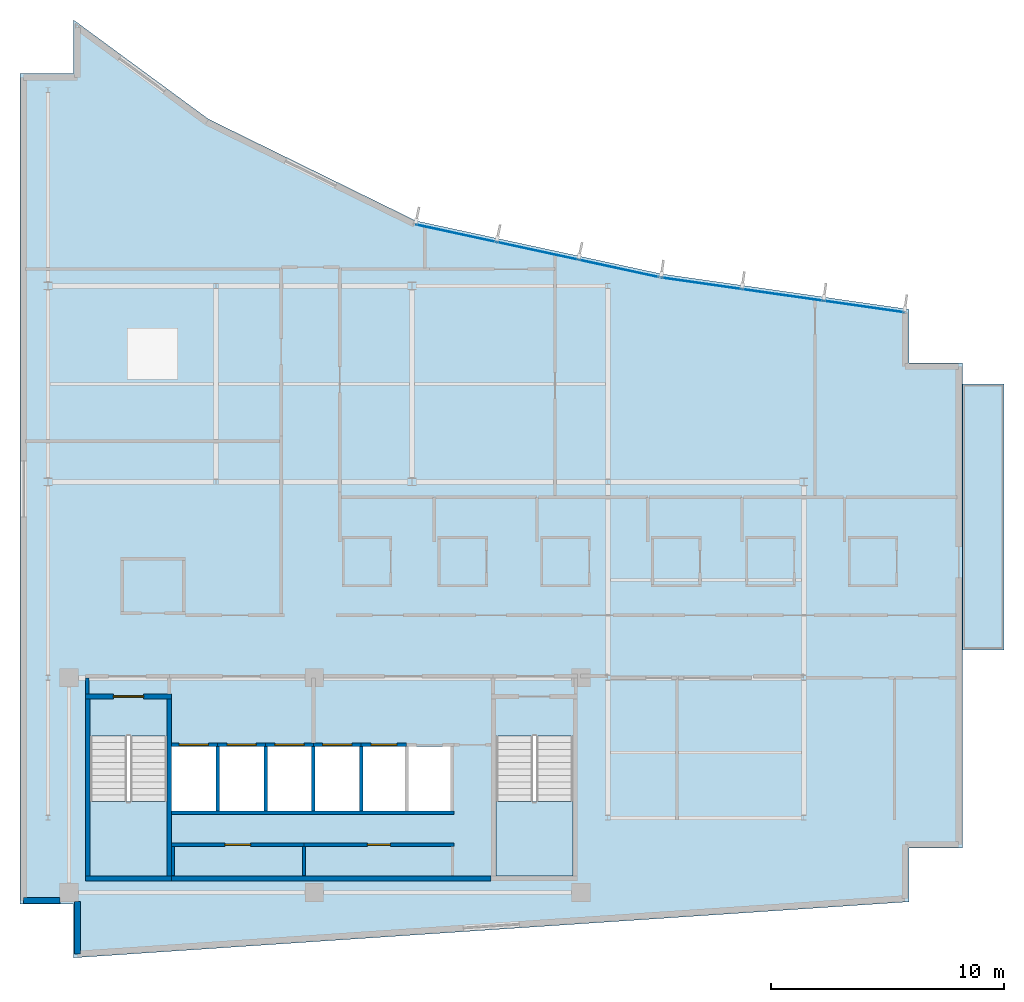
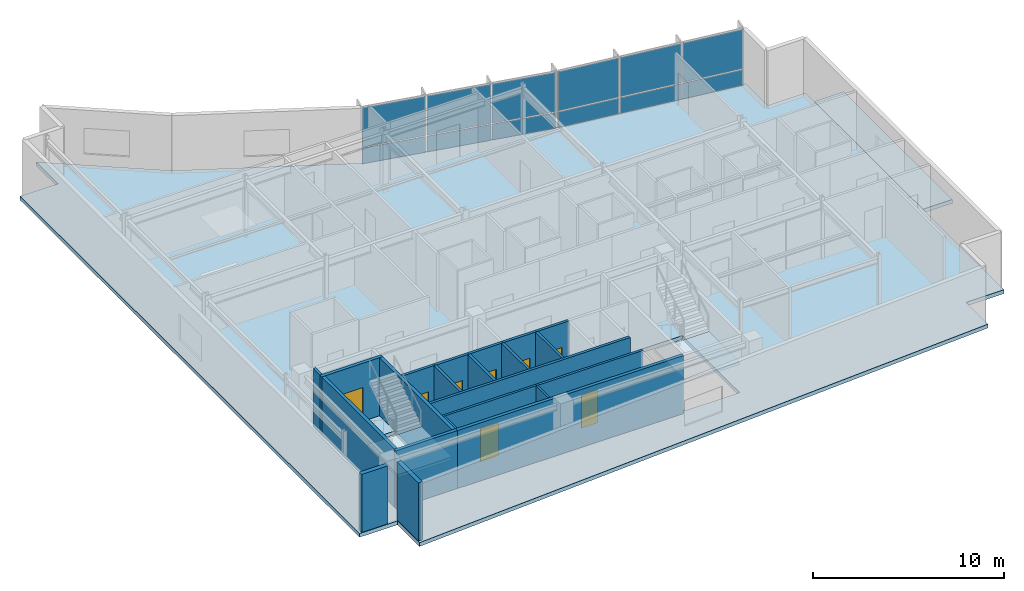
# One storey, part 9 of 16: 22 walls, 12 plates, 8 doors, 4 slabs, 8 openings, 4 elements without a shape of their own.
"""IFC4 building model written with IfcOpenShell, lengths in metres."""

from ifc_helpers import new_model, si_unit, direction, frame, frame_2d, origin, origin_2d, place, context, subcontext, project, spatial, polyline, rectangle, outline, extrude, material, layer, layer_set, type_object, element, fill, aggregate, save


model = new_model("IFC4")

# Units and contexts
model_context = context("Model", 3, precision=1e-05, world=origin(), true_north=direction((0.0, 1.0)))
body_context = subcontext(model_context, "Body", "Model", "MODEL_VIEW")
ifc_project = project(units=[si_unit("LENGTHUNIT", "METRE"), si_unit("AREAUNIT", "SQUARE_METRE"), si_unit("VOLUMEUNIT", "CUBIC_METRE"), si_unit("PLANEANGLEUNIT", "RADIAN"), si_unit("MASSUNIT", "GRAM", prefix="KILO")], contexts=[model_context])

# Site, building, storey
site_placement = place(None, origin())
site = spatial("IfcSite", under=ifc_project, at=site_placement, CompositionType="ELEMENT")
building_placement = place(site_placement, origin())
building = spatial("IfcBuilding", under=site, at=building_placement, Name="Varnakote Quay Hospital", CompositionType="ELEMENT")
storey_placement = place(building_placement, frame((0.0, 0.0, 296.050048828125)))
storey = spatial("IfcBuildingStorey", under=building, at=storey_placement, Name="L73", CompositionType="ELEMENT", Elevation=296.050048828125)

# Curtain wall, plates
ifc_material_1 = material(Name="Anodised aluminium 6063-T6 Bronze", Category="aluminium")
ifc_layer_1 = layer(ifc_material_1, 0.235107421875)
ifc_layer_set_1 = layer_set([ifc_layer_1], Name="Anodised aluminium 6063-T6 Bronze")
curtain_wall_type = type_object("IfcCurtainWallType", Name="CW-SYS-5", PredefinedType="NOTDEFINED", material=ifc_layer_set_1)
curtain_wall_1_placement = place(storey_placement, origin())
curtain_wall_1 = element("IfcCurtainWall", 1, at=curtain_wall_1_placement, inside=storey, type_object=curtain_wall_type, Name="L73 Unitised Bronze Curtain Wall 1", PredefinedType="NOTDEFINED")
ifc_material_2 = material(Name="Double-glazed low-E solar glass", Category="glass")
ifc_layer_2 = layer(ifc_material_2, 0.028076171875)
ifc_layer_set_2 = layer_set([ifc_layer_2], Name="Double-glazed low-E solar glass")
plate_type = type_object("IfcPlateType", Name="CW-PNL-GLZ-28", PredefinedType="CURTAIN_PANEL", material=ifc_layer_set_2)
plate_1_placement = place(storey_placement, frame((36.174560546875, 27.913818359375, 0.06494140625), z_axis=(0.0, 0.0, 1.0), x_axis=(-0.989927979062, 0.141571876691, 0.0)))
plate_1 = element("IfcPlate", 2, at=plate_1_placement, type_object=plate_type, Name="-5-L73-1 panel 1.1", PredefinedType="CURTAIN_PANEL", context=body_context, shape_type="SweptSolid", body=[
    extrude(rectangle(XDim=3.436767578125, YDim=0.028076171875, at=origin_2d()), origin(), (0.0, 0.0, 1.0), 1.00244140625),
])
plate_2_placement = place(storey_placement, frame((36.174560546875, 27.913818359375, 1.13232421875), z_axis=(0.0, 0.0, 1.0), x_axis=(-0.989927979062, 0.141571876691, 0.0)))
plate_2 = element("IfcPlate", 3, at=plate_2_placement, type_object=plate_type, Name="-5-L73-1 panel 1.2", PredefinedType="CURTAIN_PANEL", context=body_context, shape_type="SweptSolid", body=[
    extrude(rectangle(XDim=3.436767578125, YDim=0.028076171875, at=origin_2d()), origin(), (0.0, 0.0, 1.0), 2.512451171875),
])
plate_3_placement = place(storey_placement, frame((32.69189453125, 28.411865234375, 0.06494140625), z_axis=(0.0, 0.0, 1.0), x_axis=(-0.989927979062, 0.141571876691, 0.0)))
plate_3 = element("IfcPlate", 4, at=plate_3_placement, type_object=plate_type, Name="-5-L73-1 panel 2.1", PredefinedType="CURTAIN_PANEL", context=body_context, shape_type="SweptSolid", body=[
    extrude(rectangle(XDim=3.469482421875, YDim=0.028076171875, at=origin_2d()), origin(), (0.0, 0.0, 1.0), 1.00244140625),
])
plate_4_placement = place(storey_placement, frame((32.69189453125, 28.411865234375, 1.13232421875), z_axis=(0.0, 0.0, 1.0), x_axis=(-0.989927979062, 0.141571876691, 0.0)))
plate_4 = element("IfcPlate", 5, at=plate_4_placement, type_object=plate_type, Name="-5-L73-1 panel 2.2", PredefinedType="CURTAIN_PANEL", context=body_context, shape_type="SweptSolid", body=[
    extrude(rectangle(XDim=3.469482421875, YDim=0.028076171875, at=origin_2d()), origin(), (0.0, 0.0, 1.0), 2.512451171875),
])
plate_5_placement = place(storey_placement, frame((29.209228515625, 28.909912109375, 0.06494140625), z_axis=(0.0, 0.0, 1.0), x_axis=(-0.989927979062, 0.141571876691, 0.0)))
plate_5 = element("IfcPlate", 6, at=plate_5_placement, type_object=plate_type, Name="-5-L73-1 panel 3.1", PredefinedType="CURTAIN_PANEL", context=body_context, shape_type="SweptSolid", body=[
    extrude(rectangle(XDim=3.436767578125, YDim=0.028076171875, at=origin_2d()), origin(), (0.0, 0.0, 1.0), 1.00244140625),
])
plate_6_placement = place(storey_placement, frame((29.209228515625, 28.909912109375, 1.13232421875), z_axis=(0.0, 0.0, 1.0), x_axis=(-0.989927979062, 0.141571876691, 0.0)))
plate_6 = element("IfcPlate", 7, at=plate_6_placement, type_object=plate_type, Name="-5-L73-1 panel 3.2", PredefinedType="CURTAIN_PANEL", context=body_context, shape_type="SweptSolid", body=[
    extrude(rectangle(XDim=3.436767578125, YDim=0.028076171875, at=origin_2d()), origin(), (0.0, 0.0, 1.0), 2.512451171875),
])
aggregate(curtain_wall_1, [plate_1, plate_2, plate_3, plate_4, plate_5, plate_6])

curtain_wall_2_placement = place(storey_placement, origin())
curtain_wall_2 = element("IfcCurtainWall", 8, at=curtain_wall_2_placement, inside=storey, type_object=curtain_wall_type, Name="L73 Unitised Bronze Curtain Wall 2", PredefinedType="NOTDEFINED")
plate_7_placement = place(storey_placement, frame((25.673095703125, 29.54541015625, 0.06494140625), z_axis=(0.0, 0.0, 1.0), x_axis=(-0.97739794114, 0.211407815974, 0.0)))
plate_7 = element("IfcPlate", 9, at=plate_7_placement, type_object=plate_type, Name="-5-L73-2 panel 1.1", PredefinedType="CURTAIN_PANEL", context=body_context, shape_type="SweptSolid", body=[
    extrude(rectangle(XDim=3.4931640625, YDim=0.028076171875, at=origin_2d()), origin(), (0.0, 0.0, 1.0), 1.00244140625),
])
plate_8_placement = place(storey_placement, frame((25.673095703125, 29.54541015625, 1.13232421875), z_axis=(0.0, 0.0, 1.0), x_axis=(-0.97739794114, 0.211407815974, 0.0)))
plate_8 = element("IfcPlate", 10, at=plate_8_placement, type_object=plate_type, Name="-5-L73-2 panel 1.2", PredefinedType="CURTAIN_PANEL", context=body_context, shape_type="SweptSolid", body=[
    extrude(rectangle(XDim=3.4931640625, YDim=0.028076171875, at=origin_2d()), origin(), (0.0, 0.0, 1.0), 2.512451171875),
])
plate_9_placement = place(storey_placement, frame((22.179443359375, 30.301025390625, 0.06494140625), z_axis=(0.0, 0.0, 1.0), x_axis=(-0.97739794114, 0.211407815974, 0.0)))
plate_9 = element("IfcPlate", 11, at=plate_9_placement, type_object=plate_type, Name="-5-L73-2 panel 2.1", PredefinedType="CURTAIN_PANEL", context=body_context, shape_type="SweptSolid", body=[
    extrude(rectangle(XDim=3.525634765625, YDim=0.028076171875, at=origin_2d()), origin(), (0.0, 0.0, 1.0), 1.00244140625),
])
plate_10_placement = place(storey_placement, frame((22.179443359375, 30.301025390625, 1.13232421875), z_axis=(0.0, 0.0, 1.0), x_axis=(-0.97739794114, 0.211407815974, 0.0)))
plate_10 = element("IfcPlate", 12, at=plate_10_placement, type_object=plate_type, Name="-5-L73-2 panel 2.2", PredefinedType="CURTAIN_PANEL", context=body_context, shape_type="SweptSolid", body=[
    extrude(rectangle(XDim=3.525634765625, YDim=0.028076171875, at=origin_2d()), origin(), (0.0, 0.0, 1.0), 2.512451171875),
])
plate_11_placement = place(storey_placement, frame((18.685791015625, 31.056640625, 0.06494140625), z_axis=(0.0, 0.0, 1.0), x_axis=(-0.97739794114, 0.211407815974, 0.0)))
plate_11 = element("IfcPlate", 13, at=plate_11_placement, type_object=plate_type, Name="-5-L73-2 panel 3.1", PredefinedType="CURTAIN_PANEL", context=body_context, shape_type="SweptSolid", body=[
    extrude(rectangle(XDim=3.4931640625, YDim=0.028076171875, at=origin_2d()), origin(), (0.0, 0.0, 1.0), 1.00244140625),
])
plate_12_placement = place(storey_placement, frame((18.685791015625, 31.056640625, 1.13232421875), z_axis=(0.0, 0.0, 1.0), x_axis=(-0.97739794114, 0.211407815974, 0.0)))
plate_12 = element("IfcPlate", 14, at=plate_12_placement, type_object=plate_type, Name="-5-L73-2 panel 3.2", PredefinedType="CURTAIN_PANEL", context=body_context, shape_type="SweptSolid", body=[
    extrude(rectangle(XDim=3.4931640625, YDim=0.028076171875, at=origin_2d()), origin(), (0.0, 0.0, 1.0), 2.512451171875),
])
aggregate(curtain_wall_2, [plate_7, plate_8, plate_9, plate_10, plate_11, plate_12])

# Stair, slab
ifc_material_3 = material(Name="Concrete N40 (f'c 40 MPa)", Category="concrete")
stair_type = type_object("IfcStairType", Name="STR-CORE-1580", PredefinedType="HALF_TURN_STAIR", material=ifc_material_3)
stair_1_placement = place(storey_placement, origin())
stair_1 = element("IfcStair", 15, at=stair_1_placement, inside=storey, type_object=stair_type, Name="L73 Fire-Isolated Exit Stair ST-01", PredefinedType="HALF_TURN_STAIR")
ifc_material_4 = material(Name="Concrete N40 (f'c 40 MPa)", Category="concrete")
ifc_layer_3 = layer(ifc_material_4, 0.199951171875)
ifc_layer_set_3 = layer_set([ifc_layer_3], Name="Concrete N40 (f'c 40 MPa)")
slab_type_1 = type_object("IfcSlabType", Name="SLB-STAIR-LND-200", PredefinedType="LANDING", material=ifc_layer_set_3)
slab_1_placement = place(storey_placement, frame((0.0, 0.0, 1.77490234375)))
slab_1 = element("IfcSlab", 16, at=slab_1_placement, type_object=slab_type_1, Name="ST-01 landing 1", PredefinedType="LANDING", context=body_context, shape_type="SweptSolid", body=[
    extrude(outline(polyline([(3.0, 6.699951171875), (3.0, 3.5), (6.300048828125, 3.5), (6.300048828125, 6.699951171875), (3.0, 6.699951171875)])), origin(), (0.0, 0.0, 1.0), 0.199951171875),
])
aggregate(stair_1, [slab_1])

stair_2_placement = place(storey_placement, origin())
stair_2 = element("IfcStair", 17, at=stair_2_placement, inside=storey, type_object=stair_type, Name="L73 Fire-Isolated Exit Stair ST-02", PredefinedType="HALF_TURN_STAIR")
slab_2_placement = place(storey_placement, frame((0.0, 0.0, 1.77490234375)))
slab_2 = element("IfcSlab", 18, at=slab_2_placement, type_object=slab_type_1, Name="ST-02 landing 1", PredefinedType="LANDING", context=body_context, shape_type="SweptSolid", body=[
    extrude(outline(polyline([(20.39990234375, 6.699951171875), (20.39990234375, 3.5), (23.699951171875, 3.5), (23.699951171875, 6.699951171875), (20.39990234375, 6.699951171875)])), origin(), (0.0, 0.0, 1.0), 0.199951171875),
])
aggregate(stair_2, [slab_2])

# Slabs
ifc_material_5 = material(Name="Concrete N50 (f'c 50 MPa)", Category="concrete")
ifc_layer_4 = layer(ifc_material_5, 0.239990234375)
ifc_layer_set_4 = layer_set([ifc_layer_4], Name="Concrete N50 (f'c 50 MPa)")
slab_type_2 = type_object("IfcSlabType", Name="SLB-TERR-200", PredefinedType="FLOOR", material=ifc_layer_set_4)
slab_3_placement = place(storey_placement, frame((0.0, 0.0, -0.239990234375)))
element("IfcSlab", 19, at=slab_3_placement, inside=storey, type_object=slab_type_2, Name="L73 Waterfront Healing Terrace Slab", PredefinedType="FLOOR", context=body_context, shape_type="SweptSolid", body=[
    extrude(outline(polyline([(40.39599609375, 13.199951171875), (42.179931640625, 13.199951171875), (42.179931640625, 24.60009765625), (40.39599609375, 24.60009765625), (40.39599609375, 13.199951171875)])), origin(), (0.0, 0.0, 1.0), 0.239990234375),
])
ifc_material_6 = material(Name="Concrete N50 (f'c 50 MPa)", Category="concrete")
ifc_layer_5 = layer(ifc_material_6, 0.239990234375)
ifc_layer_set_5 = layer_set([ifc_layer_5], Name="Concrete N50 (f'c 50 MPa)")
slab_type_3 = type_object("IfcSlabType", Name="SLB-WARD-200", PredefinedType="FLOOR", material=ifc_layer_set_5)
slab_4_placement = place(storey_placement, frame((0.0, 0.0, -0.239990234375)))
element("IfcSlab", 20, at=slab_4_placement, inside=storey, type_object=slab_type_3, Name="L73 Primary Floor Slab", PredefinedType="FLOOR", context=body_context, shape_type="SweptSolid", body=[
    extrude(outline(polyline([(0.0, 2.300048828125), (2.300048828125, 2.300048828125), (2.300048828125, 0.0), (38.10009765625, 2.39990234375), (38.10009765625, 4.699951171875), (40.39990234375, 4.699951171875), (40.39990234375, 25.5), (38.10009765625, 25.5), (38.10009765625, 27.800048828125), (27.471923828125, 29.320068359375), (16.968017578125, 31.592041015625), (8.080078125, 35.951904296875), (2.300048828125, 40.199951171875), (2.300048828125, 37.89990234375), (0.0, 37.89990234375), (0.0, 2.300048828125)]), holes=[polyline([(3.0, 3.5), (6.300048828125, 3.5), (6.300048828125, 9.49951171875), (3.0, 9.49951171875), (3.0, 3.5)]), polyline([(20.39990234375, 3.5), (23.699951171875, 3.5), (23.699951171875, 9.49951171875), (20.39990234375, 9.49951171875), (20.39990234375, 3.5)]), polyline([(6.5, 6.300048828125), (8.39990234375, 6.300048828125), (8.39990234375, 9.050048828125), (6.5, 9.050048828125), (6.5, 6.300048828125)]), polyline([(8.550048828125, 6.300048828125), (10.449951171875, 6.300048828125), (10.449951171875, 9.050048828125), (8.550048828125, 9.050048828125), (8.550048828125, 6.300048828125)]), polyline([(10.60009765625, 6.300048828125), (12.5, 6.300048828125), (12.5, 9.050048828125), (10.60009765625, 9.050048828125), (10.60009765625, 6.300048828125)]), polyline([(12.64990234375, 6.300048828125), (14.550048828125, 6.300048828125), (14.550048828125, 9.050048828125), (12.64990234375, 9.050048828125), (12.64990234375, 6.300048828125)]), polyline([(14.699951171875, 6.300048828125), (16.5, 6.300048828125), (16.5, 9.050048828125), (14.699951171875, 9.050048828125), (14.699951171875, 6.300048828125)]), polyline([(16.64990234375, 6.300048828125), (18.449951171875, 6.300048828125), (18.449951171875, 9.050048828125), (16.64990234375, 9.050048828125), (16.64990234375, 6.300048828125)])]), origin(), (0.0, 0.0, 1.0), 0.239990234375),
])

# Walls
ifc_material_7 = material(Name="Fire-rated acoustic gypsum stud wall", Category="gypsum")
ifc_layer_6 = layer(ifc_material_7, 0.159912109375)
ifc_layer_set_6 = layer_set([ifc_layer_6], Name="Fire-rated acoustic gypsum stud wall")
wall_type_1 = type_object("IfcWallType", Name="WL-COMP-160", PredefinedType="PARTITIONING", material=ifc_layer_set_6)
wall_1_placement = place(storey_placement, frame((2.8798828125, 11.300048828125, 0.0), z_axis=(0.0, 0.0, 1.0), x_axis=(0.0, 1.0, 0.0)))
element("IfcWall", 21, at=wall_1_placement, inside=storey, type_object=wall_type_1, Name="L73 West Stair Vestibule West Wall", PredefinedType="PARTITIONING", context=body_context, shape_type="SweptSolid", body=[
    extrude(rectangle(XDim=0.699951171875, YDim=0.159912109375, at=frame_2d((0.35009765625, 0.0))), origin(), (0.0, 0.0, 1.0), 3.7099609375),
])
ifc_material_8 = material(Name="Concrete N50 (f'c 50 MPa)", Category="concrete")
ifc_layer_7 = layer(ifc_material_8, 0.199951171875)
ifc_layer_set_7 = layer_set([ifc_layer_7], Name="Concrete N50 (f'c 50 MPa)")
wall_type_2 = type_object("IfcWallType", Name="WL-CORE-N50-200", PredefinedType="SHEAR", material=ifc_layer_set_7)
wall_2_placement = place(storey_placement, frame((6.5, 3.39990234375, 0.0), z_axis=(0.0, 0.0, 1.0), x_axis=(1.0, 0.0, 0.0)))
element("IfcWall", 22, at=wall_2_placement, inside=storey, type_object=wall_type_2, Name="L73 Rear Core South Shear Wall", PredefinedType="SHEAR", context=body_context, shape_type="SweptSolid", body=[
    extrude(rectangle(XDim=13.699951171875, YDim=0.199951171875, at=frame_2d((6.85009765625, 0.0))), origin(), (0.0, 0.0, 1.0), 3.7099609375),
])
ifc_material_9 = material(Name="Precast concrete N50 (f'c 50 MPa)", Category="concrete")
ifc_layer_8 = layer(ifc_material_9, 0.260009765625)
ifc_layer_set_8 = layer_set([ifc_layer_8], Name="Precast concrete N50 (f'c 50 MPa)")
wall_type_3 = type_object("IfcWallType", Name="WL-EXT-BRICK-260", PredefinedType="STANDARD", material=ifc_layer_set_8)
wall_3_placement = place(storey_placement, frame((2.4599609375, 2.4150390625, 0.0), z_axis=(0.0, 0.0, 1.0), x_axis=(0.0, -1.0, 0.0)))
element("IfcWall", 23, at=wall_3_placement, inside=storey, type_object=wall_type_3, Name="L73 Brick-Faced Precast Exterior Wall", PredefinedType="STANDARD", context=body_context, shape_type="SweptSolid", body=[
    extrude(rectangle(XDim=2.243896484375, YDim=0.260009765625, at=frame_2d((1.1220703125, 0.0))), origin(), (0.0, 0.0, 1.0), 3.7099609375),
])
wall_4_placement = place(storey_placement, frame((0.159912109375, 2.4599609375, 0.0), z_axis=(0.0, 0.0, 1.0), x_axis=(1.0, 0.0, 0.0)))
element("IfcWall", 24, at=wall_4_placement, inside=storey, type_object=wall_type_3, Name="L73 Brick-Faced Precast Exterior Wall", PredefinedType="STANDARD", context=body_context, shape_type="SweptSolid", body=[
    extrude(rectangle(XDim=1.55517578125, YDim=0.260009765625, at=frame_2d((0.777587890625, 0.0))), origin(), (0.0, 0.0, 1.0), 3.7099609375),
])
ifc_material_10 = material(Name="Concrete N50 (f'c 50 MPa)", Category="concrete")
ifc_layer_9 = layer(ifc_material_10, 0.14990234375)
ifc_layer_set_9 = layer_set([ifc_layer_9], Name="Concrete N50 (f'c 50 MPa)")
wall_type_4 = type_object("IfcWallType", Name="WL-SHAFT-N50-150", PredefinedType="SHEAR", material=ifc_layer_set_9)
for number, where, z_axis, x_axis, name in (
    (25, (8.47509765625, 6.300048828125, 0.0), (0.0, 0.0, 1.0), (0.0, 1.0, 0.0), "L73 LF-FF1 Hoistway Divider Wall"),
    (26, (10.52490234375, 6.300048828125, 0.0), (0.0, 0.0, 1.0), (0.0, 1.0, 0.0), "L73 LF-FF2 Hoistway Divider Wall"),
    (27, (12.574951171875, 6.300048828125, 0.0), (0.0, 0.0, 1.0), (0.0, 1.0, 0.0), "L73 LF-SV1 Hoistway Divider Wall"),
    (28, (14.625, 6.300048828125, 0.0), (0.0, 0.0, 1.0), (0.0, 1.0, 0.0), "L73 LF-SV2 Hoistway Divider Wall"),
):
    element("IfcWall", number, at=place(storey_placement, frame(where, z_axis=z_axis, x_axis=x_axis)), inside=storey, type_object=wall_type_4, Name=name, PredefinedType="SHEAR", context=body_context, shape_type="SweptSolid", body=[
        extrude(rectangle(XDim=2.75, YDim=0.14990234375, at=frame_2d((1.375, 0.0))), origin(), (0.0, 0.0, 1.0), 3.7099609375),
    ])
ifc_material_11 = material(Name="Concrete N50 (f'c 50 MPa)", Category="concrete")
ifc_layer_10 = layer(ifc_material_11, 0.159912109375)
ifc_layer_set_10 = layer_set([ifc_layer_10], Name="Concrete N50 (f'c 50 MPa)")
wall_type_5 = type_object("IfcWallType", Name="WL-SHAFT-N50-160", PredefinedType="SHEAR", material=ifc_layer_set_10)
wall_5_placement = place(storey_placement, frame((6.5, 6.219970703125, 0.0), z_axis=(0.0, 0.0, 1.0), x_axis=(1.0, 0.0, 0.0)))
element("IfcWall", 29, at=wall_5_placement, inside=storey, type_object=wall_type_5, Name="L73 REAR Lift Bank Back Shear Wall", PredefinedType="SHEAR", context=body_context, shape_type="SweptSolid", body=[
    extrude(rectangle(XDim=12.110107421875, YDim=0.159912109375, at=frame_2d((6.05517578125, 0.0))), origin(), (0.0, 0.0, 1.0), 3.7099609375),
])

# Wall, opening, door
wall_6_placement = place(storey_placement, frame((6.5, 9.1298828125, 0.0), z_axis=(0.0, 0.0, 1.0), x_axis=(1.0, 0.0, 0.0)))
wall_6 = element("IfcWall", 30, at=wall_6_placement, inside=storey, type_object=wall_type_5, Name="L73 LF-FF1 Hoistway Front Wall", PredefinedType="SHEAR", context=body_context, shape_type="SweptSolid", body=[
    extrude(rectangle(XDim=1.97509765625, YDim=0.159912109375, at=frame_2d((0.987548828125, 0.0))), origin(), (0.0, 0.0, 1.0), 3.7099609375),
])
opening_1_placement = place(wall_6_placement, frame((0.324951171875, 0.0, 0.0)))
opening_1 = element("IfcOpeningElement", 31, at=opening_1_placement, cuts=wall_6, Name="Opening LD-FF1-L73", PredefinedType="OPENING", context=body_context, shape_type="SweptSolid", body=[
    extrude(rectangle(XDim=1.25, YDim=2.14990234375, at=frame_2d((0.625, 1.074951171875))), frame((0.0, 0.08984375, 0.0), z_axis=(0.0, -1.0, 0.0), x_axis=(1.0, 0.0, 0.0)), (0.0, 0.0, 1.0), 0.179931640625),
])
ifc_material_12 = material(Name="Stainless steel lift landing sliding door", Category="steel")
door_type_1 = type_object("IfcDoorType", Name="DR-LIFT-LD-1250x2150", OperationType="NOTDEFINED", PredefinedType="DOOR", material=ifc_material_12)
door_1_placement = place(opening_1_placement, origin())
door_1 = element("IfcDoor", 32, at=door_1_placement, inside=storey, type_object=door_type_1, Name="L73 LF-FF1 Lift Landing Sliding Door", OperationType="SLIDING_TO_LEFT", OverallHeight=2.14990234375, OverallWidth=1.25, PredefinedType="DOOR", context=body_context, shape_type="SweptSolid", body=[
    extrude(rectangle(XDim=1.25, YDim=2.14990234375, at=frame_2d((0.625, 1.074951171875))), frame((0.0, 0.02490234375, 0.0), z_axis=(0.0, -1.0, 0.0), x_axis=(1.0, 0.0, 0.0)), (0.0, 0.0, 1.0), 0.050048828125),
])
fill(opening_1, door_1)

wall_7_placement = place(storey_placement, frame((8.47509765625, 9.1298828125, 0.0), z_axis=(0.0, 0.0, 1.0), x_axis=(1.0, 0.0, 0.0)))
wall_7 = element("IfcWall", 33, at=wall_7_placement, inside=storey, type_object=wall_type_5, Name="L73 LF-FF2 Hoistway Front Wall", PredefinedType="SHEAR", context=body_context, shape_type="SweptSolid", body=[
    extrude(rectangle(XDim=2.0498046875, YDim=0.159912109375, at=frame_2d((1.02490234375, 0.0))), origin(), (0.0, 0.0, 1.0), 3.7099609375),
])
opening_2_placement = place(wall_7_placement, frame((0.39990234375, 0.0, 0.0)))
opening_2 = element("IfcOpeningElement", 34, at=opening_2_placement, cuts=wall_7, Name="Opening LD-FF2-L73", PredefinedType="OPENING", context=body_context, shape_type="SweptSolid", body=[
    extrude(rectangle(XDim=1.25, YDim=2.14990234375, at=frame_2d((0.625, 1.074951171875))), frame((0.0, 0.08984375, 0.0), z_axis=(0.0, -1.0, 0.0), x_axis=(1.0, 0.0, 0.0)), (0.0, 0.0, 1.0), 0.179931640625),
])
door_2_placement = place(opening_2_placement, origin())
door_2 = element("IfcDoor", 35, at=door_2_placement, inside=storey, type_object=door_type_1, Name="L73 LF-FF2 Lift Landing Sliding Door", OperationType="SLIDING_TO_LEFT", OverallHeight=2.14990234375, OverallWidth=1.25, PredefinedType="DOOR", context=body_context, shape_type="SweptSolid", body=[
    extrude(rectangle(XDim=1.25, YDim=2.14990234375, at=frame_2d((0.625, 1.074951171875))), frame((0.0, 0.02490234375, 0.0), z_axis=(0.0, -1.0, 0.0), x_axis=(1.0, 0.0, 0.0)), (0.0, 0.0, 1.0), 0.050048828125),
])
fill(opening_2, door_2)

wall_8_placement = place(storey_placement, frame((10.52490234375, 9.1298828125, 0.0), z_axis=(0.0, 0.0, 1.0), x_axis=(1.0, 0.0, 0.0)))
wall_8 = element("IfcWall", 36, at=wall_8_placement, inside=storey, type_object=wall_type_5, Name="L73 LF-SV1 Hoistway Front Wall", PredefinedType="SHEAR", context=body_context, shape_type="SweptSolid", body=[
    extrude(rectangle(XDim=2.050048828125, YDim=0.159912109375, at=frame_2d((1.02490234375, 0.0))), origin(), (0.0, 0.0, 1.0), 3.7099609375),
])
opening_3_placement = place(wall_8_placement, frame((0.39990234375, 0.0, 0.0)))
opening_3 = element("IfcOpeningElement", 37, at=opening_3_placement, cuts=wall_8, Name="Opening LD-SV1-L73", PredefinedType="OPENING", context=body_context, shape_type="SweptSolid", body=[
    extrude(rectangle(XDim=1.25, YDim=2.14990234375, at=frame_2d((0.625, 1.074951171875))), frame((0.0, 0.08984375, 0.0), z_axis=(0.0, -1.0, 0.0), x_axis=(1.0, 0.0, 0.0)), (0.0, 0.0, 1.0), 0.179931640625),
])
door_3_placement = place(opening_3_placement, origin())
door_3 = element("IfcDoor", 38, at=door_3_placement, inside=storey, type_object=door_type_1, Name="L73 LF-SV1 Lift Landing Sliding Door", OperationType="SLIDING_TO_LEFT", OverallHeight=2.14990234375, OverallWidth=1.25, PredefinedType="DOOR", context=body_context, shape_type="SweptSolid", body=[
    extrude(rectangle(XDim=1.25, YDim=2.14990234375, at=frame_2d((0.625, 1.074951171875))), frame((0.0, 0.02490234375, 0.0), z_axis=(0.0, -1.0, 0.0), x_axis=(1.0, 0.0, 0.0)), (0.0, 0.0, 1.0), 0.050048828125),
])
fill(opening_3, door_3)

wall_9_placement = place(storey_placement, frame((12.574951171875, 9.1298828125, 0.0), z_axis=(0.0, 0.0, 1.0), x_axis=(1.0, 0.0, 0.0)))
wall_9 = element("IfcWall", 39, at=wall_9_placement, inside=storey, type_object=wall_type_5, Name="L73 LF-SV2 Hoistway Front Wall", PredefinedType="SHEAR", context=body_context, shape_type="SweptSolid", body=[
    extrude(rectangle(XDim=2.050048828125, YDim=0.159912109375, at=frame_2d((1.02490234375, 0.0))), origin(), (0.0, 0.0, 1.0), 3.7099609375),
])
opening_4_placement = place(wall_9_placement, frame((0.39990234375, 0.0, 0.0)))
opening_4 = element("IfcOpeningElement", 40, at=opening_4_placement, cuts=wall_9, Name="Opening LD-SV2-L73", PredefinedType="OPENING", context=body_context, shape_type="SweptSolid", body=[
    extrude(rectangle(XDim=1.25, YDim=2.14990234375, at=frame_2d((0.625, 1.074951171875))), frame((0.0, 0.08984375, 0.0), z_axis=(0.0, -1.0, 0.0), x_axis=(1.0, 0.0, 0.0)), (0.0, 0.0, 1.0), 0.179931640625),
])
door_4_placement = place(opening_4_placement, origin())
door_4 = element("IfcDoor", 41, at=door_4_placement, inside=storey, type_object=door_type_1, Name="L73 LF-SV2 Lift Landing Sliding Door", OperationType="SLIDING_TO_LEFT", OverallHeight=2.14990234375, OverallWidth=1.25, PredefinedType="DOOR", context=body_context, shape_type="SweptSolid", body=[
    extrude(rectangle(XDim=1.25, YDim=2.14990234375, at=frame_2d((0.625, 1.074951171875))), frame((0.0, 0.02490234375, 0.0), z_axis=(0.0, -1.0, 0.0), x_axis=(1.0, 0.0, 0.0)), (0.0, 0.0, 1.0), 0.050048828125),
])
fill(opening_4, door_4)

wall_10_placement = place(storey_placement, frame((14.625, 9.1298828125, 0.0), z_axis=(0.0, 0.0, 1.0), x_axis=(1.0, 0.0, 0.0)))
wall_10 = element("IfcWall", 42, at=wall_10_placement, inside=storey, type_object=wall_type_5, Name="L73 LF-PH1 Hoistway Front Wall", PredefinedType="SHEAR", context=body_context, shape_type="SweptSolid", body=[
    extrude(rectangle(XDim=1.949951171875, YDim=0.159912109375, at=frame_2d((0.97509765625, 0.0))), origin(), (0.0, 0.0, 1.0), 3.7099609375),
])
opening_5_placement = place(wall_10_placement, frame((0.425048828125, 0.0, 0.0)))
opening_5 = element("IfcOpeningElement", 43, at=opening_5_placement, cuts=wall_10, Name="Opening LD-PH1-L73", PredefinedType="OPENING", context=body_context, shape_type="SweptSolid", body=[
    extrude(rectangle(XDim=1.10009765625, YDim=2.14990234375, at=frame_2d((0.550048828125, 1.074951171875))), frame((0.0, 0.08984375, 0.0), z_axis=(0.0, -1.0, 0.0), x_axis=(1.0, 0.0, 0.0)), (0.0, 0.0, 1.0), 0.179931640625),
])
ifc_material_13 = material(Name="Brushed bronze lift landing sliding door")
door_type_2 = type_object("IfcDoorType", Name="DR-LIFT-LD-1100x2150", OperationType="NOTDEFINED", PredefinedType="DOOR", material=ifc_material_13)
door_5_placement = place(opening_5_placement, origin())
door_5 = element("IfcDoor", 44, at=door_5_placement, inside=storey, type_object=door_type_2, Name="L73 LF-PH1 Lift Landing Sliding Door", OperationType="SLIDING_TO_LEFT", OverallHeight=2.14990234375, OverallWidth=1.10009765625, PredefinedType="DOOR", context=body_context, shape_type="SweptSolid", body=[
    extrude(rectangle(XDim=1.10009765625, YDim=2.14990234375, at=frame_2d((0.550048828125, 1.074951171875))), frame((0.0, 0.02490234375, 0.0), z_axis=(0.0, -1.0, 0.0), x_axis=(1.0, 0.0, 0.0)), (0.0, 0.0, 1.0), 0.050048828125),
])
fill(opening_5, door_5)

# Walls
ifc_material_14 = material(Name="Concrete N50 (f'c 50 MPa)", Category="concrete")
ifc_layer_11 = layer(ifc_material_14, 0.199951171875)
ifc_layer_set_11 = layer_set([ifc_layer_11], Name="Concrete N50 (f'c 50 MPa)")
wall_type_6 = type_object("IfcWallType", Name="WL-SHAFT-N50-200", PredefinedType="SHEAR", material=ifc_layer_set_11)
wall_11_placement = place(storey_placement, frame((2.800048828125, 3.39990234375, 0.0), z_axis=(0.0, 0.0, 1.0), x_axis=(1.0, 0.0, 0.0)))
element("IfcWall", 45, at=wall_11_placement, inside=storey, type_object=wall_type_6, Name="L73 Stair ST1 South Shaft Wall", PredefinedType="SHEAR", context=body_context, shape_type="SweptSolid", body=[
    extrude(rectangle(XDim=3.699951171875, YDim=0.199951171875, at=frame_2d((1.85009765625, 0.0))), origin(), (0.0, 0.0, 1.0), 3.7099609375),
])
for number, where, z_axis, x_axis, name in (
    (46, (2.89990234375, 3.5, 0.0), (0.0, 0.0, 1.0), (0.0, 1.0, 0.0), "L73 Stair ST1 West Shaft Wall"),
    (47, (6.39990234375, 3.5, 0.0), (0.0, 0.0, 1.0), (0.0, 1.0, 0.0), "L73 Stair ST1 East Shaft Wall"),
):
    element("IfcWall", number, at=place(storey_placement, frame(where, z_axis=z_axis, x_axis=x_axis)), inside=storey, type_object=wall_type_6, Name=name, PredefinedType="SHEAR", context=body_context, shape_type="SweptSolid", body=[
        extrude(rectangle(XDim=7.60009765625, YDim=0.199951171875, at=frame_2d((3.800048828125, 0.0))), origin(), (0.0, 0.0, 1.0), 3.7099609375),
    ])

# Wall, opening, door
wall_12_placement = place(storey_placement, frame((2.800048828125, 11.199951171875, 0.0), z_axis=(0.0, 0.0, 1.0), x_axis=(1.0, 0.0, 0.0)))
wall_12 = element("IfcWall", 48, at=wall_12_placement, inside=storey, type_object=wall_type_6, Name="L73 Stair ST1 Exit Wall", PredefinedType="SHEAR", context=body_context, shape_type="SweptSolid", body=[
    extrude(rectangle(XDim=3.699951171875, YDim=0.199951171875, at=frame_2d((1.85009765625, 0.0))), origin(), (0.0, 0.0, 1.0), 3.7099609375),
])
opening_6_placement = place(wall_12_placement, frame((1.199951171875, 0.0, 0.0)))
opening_6 = element("IfcOpeningElement", 49, at=opening_6_placement, cuts=wall_12, Name="Opening D-ST1-L73", PredefinedType="OPENING", context=body_context, shape_type="SweptSolid", body=[
    extrude(rectangle(XDim=1.300048828125, YDim=2.14990234375, at=frame_2d((0.64990234375, 1.074951171875))), frame((0.0, 0.10986328125, 0.0), z_axis=(0.0, -1.0, 0.0), x_axis=(1.0, 0.0, 0.0)), (0.0, 0.0, 1.0), 0.219970703125),
])
ifc_material_15 = material(Name="Fire-rated ceramic-glazed timber exit door", Category="wood")
door_type_3 = type_object("IfcDoorType", Name="DR-STAIR-FD60S-1300x2150", OperationType="NOTDEFINED", PredefinedType="DOOR", material=ifc_material_15)
door_6_placement = place(opening_6_placement, origin())
door_6 = element("IfcDoor", 50, at=door_6_placement, inside=storey, type_object=door_type_3, Name="L73 Stair ST1 Fire Exit Door", OperationType="SINGLE_SWING_RIGHT", OverallHeight=2.14990234375, OverallWidth=1.300048828125, PredefinedType="DOOR", context=body_context, shape_type="SweptSolid", body=[
    extrude(rectangle(XDim=1.300048828125, YDim=2.14990234375, at=frame_2d((0.64990234375, 1.074951171875))), frame((0.0, 0.02490234375, 0.0), z_axis=(0.0, -1.0, 0.0), x_axis=(1.0, 0.0, 0.0)), (0.0, 0.0, 1.0), 0.050048828125),
])
fill(opening_6, door_6)

# Walls
ifc_material_16 = material(Name="Smoke-proof clinical partition", Category="gypsum")
ifc_layer_12 = layer(ifc_material_16, 0.1201171875)
ifc_layer_set_12 = layer_set([ifc_layer_12], Name="Smoke-proof clinical partition")
wall_type_7 = type_object("IfcWallType", Name="WL-SMOKE-120", PredefinedType="PARTITIONING", material=ifc_layer_set_12)
for number, where, z_axis, x_axis, name in (
    (51, (6.56005859375, 3.52001953125, 0.0), (0.0, 0.0, 1.0), (0.0, 1.0, 0.0), "L73 Core South Service West Wall"),
    (52, (12.169921875, 3.52001953125, 0.0), (0.0, 0.0, 1.0), (0.0, 1.0, 0.0), "L73 Core South Service Divider"),
):
    element("IfcWall", number, at=place(storey_placement, frame(where, z_axis=z_axis, x_axis=x_axis)), inside=storey, type_object=wall_type_7, Name=name, PredefinedType="PARTITIONING", context=body_context, shape_type="SweptSolid", body=[
        extrude(rectangle(XDim=1.260009765625, YDim=0.1201171875, at=frame_2d((0.6298828125, 0.0))), origin(), (0.0, 0.0, 1.0), 3.7099609375),
    ])

# Wall, opening, door
ifc_material_17 = material(Name="Fire-rated clinical gypsum partition", Category="gypsum")
ifc_layer_13 = layer(ifc_material_17, 0.139892578125)
ifc_layer_set_13 = layer_set([ifc_layer_13], Name="Fire-rated clinical gypsum partition")
wall_type_8 = type_object("IfcWallType", Name="WL-WARD-140", PredefinedType="PARTITIONING", material=ifc_layer_set_13)
wall_13_placement = place(storey_placement, frame((6.5, 4.85009765625, 0.0), z_axis=(0.0, 0.0, 1.0), x_axis=(1.0, 0.0, 0.0)))
wall_13 = element("IfcWall", 53, at=wall_13_placement, inside=storey, type_object=wall_type_8, Name="L73 Core Clean Linen Store North Wall", PredefinedType="PARTITIONING", context=body_context, shape_type="SweptSolid", body=[
    extrude(rectangle(XDim=5.669921875, YDim=0.139892578125, at=frame_2d((2.8349609375, 0.0))), origin(), (0.0, 0.0, 1.0), 3.7099609375),
])
opening_7_placement = place(wall_13_placement, frame((2.284912109375, 0.0, 0.0)))
opening_7 = element("IfcOpeningElement", 54, at=opening_7_placement, cuts=wall_13, Name="Opening D-L73-CR01", PredefinedType="OPENING", context=body_context, shape_type="SweptSolid", body=[
    extrude(rectangle(XDim=1.10009765625, YDim=2.10009765625, at=frame_2d((0.550048828125, 1.050048828125))), frame((0.0, 0.079833984375, 0.0), z_axis=(0.0, -1.0, 0.0), x_axis=(1.0, 0.0, 0.0)), (0.0, 0.0, 1.0), 0.159912109375),
])
ifc_material_18 = material(Name="Acoustic timber clinical consult door", Category="wood")
door_type_4 = type_object("IfcDoorType", Name="DR-CLIN-FD30S-1100x2100", OperationType="NOTDEFINED", PredefinedType="DOOR", material=ifc_material_18)
door_7_placement = place(opening_7_placement, origin())
door_7 = element("IfcDoor", 55, at=door_7_placement, inside=storey, type_object=door_type_4, Name="L73 Core Clean Linen Store Door", OperationType="SINGLE_SWING_RIGHT", OverallHeight=2.10009765625, OverallWidth=1.10009765625, PredefinedType="DOOR", context=body_context, shape_type="SweptSolid", body=[
    extrude(rectangle(XDim=1.10009765625, YDim=2.10009765625, at=frame_2d((0.550048828125, 1.050048828125))), frame((0.0, 0.02490234375, 0.0), z_axis=(0.0, -1.0, 0.0), x_axis=(1.0, 0.0, 0.0)), (0.0, 0.0, 1.0), 0.050048828125),
])
fill(opening_7, door_7)

wall_14_placement = place(storey_placement, frame((12.169921875, 4.85009765625, 0.0), z_axis=(0.0, 0.0, 1.0), x_axis=(1.0, 0.0, 0.0)))
wall_14 = element("IfcWall", 56, at=wall_14_placement, inside=storey, type_object=wall_type_8, Name="L73 Core Staff Sanitary WC North Wall", PredefinedType="PARTITIONING", context=body_context, shape_type="SweptSolid", body=[
    extrude(rectangle(XDim=6.43017578125, YDim=0.139892578125, at=frame_2d((3.215087890625, 0.0))), origin(), (0.0, 0.0, 1.0), 3.7099609375),
])
opening_8_placement = place(wall_14_placement, frame((2.72509765625, 0.0, 0.0)))
opening_8 = element("IfcOpeningElement", 57, at=opening_8_placement, cuts=wall_14, Name="Opening D-L73-CR02", PredefinedType="OPENING", context=body_context, shape_type="SweptSolid", body=[
    extrude(rectangle(XDim=0.97998046875, YDim=2.10009765625, at=frame_2d((0.489990234375, 1.050048828125))), frame((0.0, 0.079833984375, 0.0), z_axis=(0.0, -1.0, 0.0), x_axis=(1.0, 0.0, 0.0)), (0.0, 0.0, 1.0), 0.159912109375),
])
ifc_material_19 = material(Name="Accessible sanitary compartment door")
door_type_5 = type_object("IfcDoorType", Name="DR-WC-980x2100", OperationType="NOTDEFINED", PredefinedType="DOOR", material=ifc_material_19)
door_8_placement = place(opening_8_placement, origin())
door_8 = element("IfcDoor", 58, at=door_8_placement, inside=storey, type_object=door_type_5, Name="L73 Core Staff Sanitary WC Door", OperationType="SINGLE_SWING_LEFT", OverallHeight=2.10009765625, OverallWidth=0.97998046875, PredefinedType="DOOR", context=body_context, shape_type="SweptSolid", body=[
    extrude(rectangle(XDim=0.97998046875, YDim=2.10009765625, at=frame_2d((0.489990234375, 1.050048828125))), frame((0.0, 0.02490234375, 0.0), z_axis=(0.0, -1.0, 0.0), x_axis=(1.0, 0.0, 0.0)), (0.0, 0.0, 1.0), 0.050048828125),
])
fill(opening_8, door_8)

save(model, "model.ifc")
